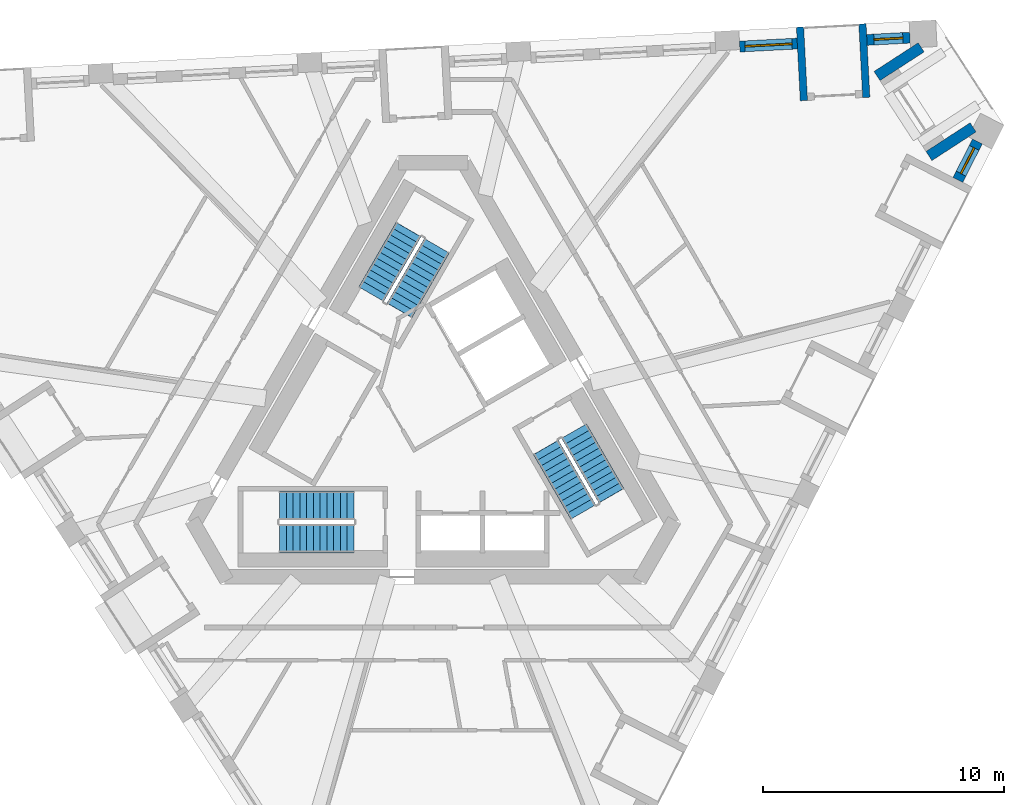
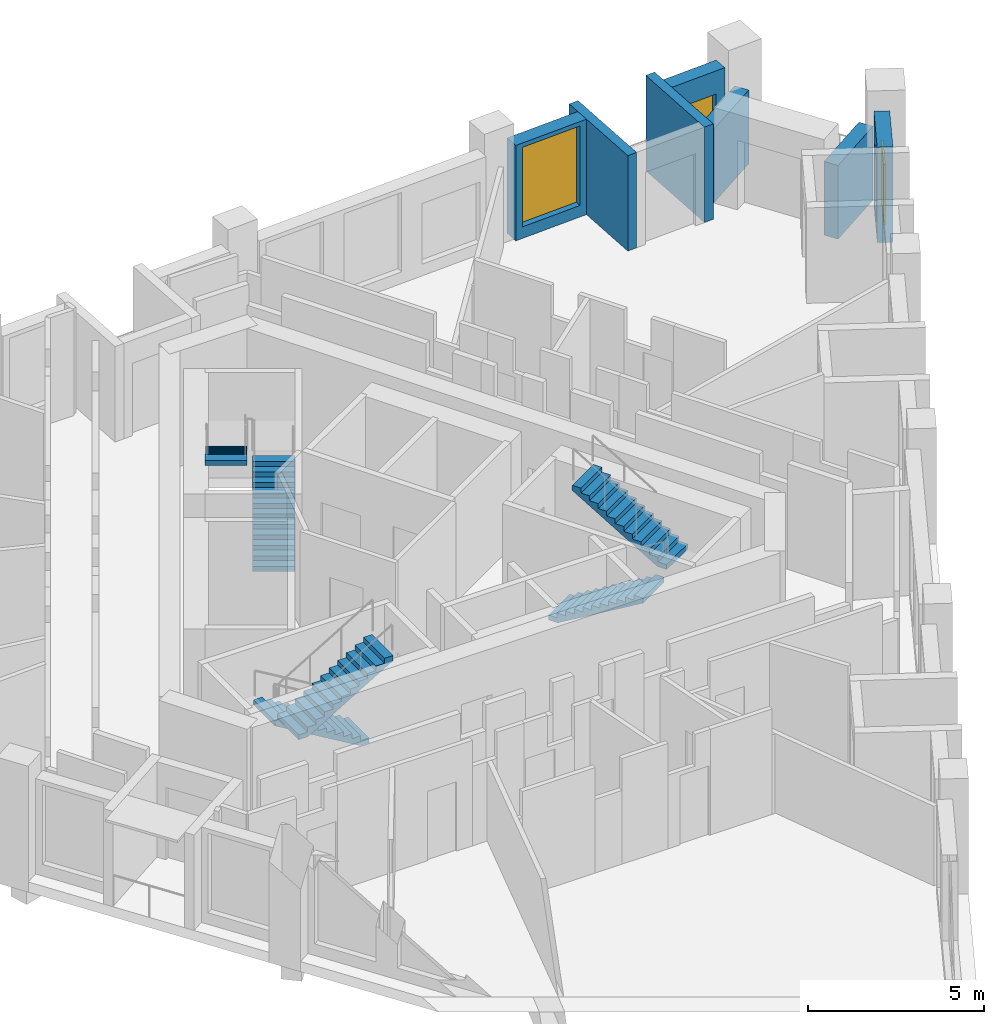
# One storey, part 8 of 12: 7 walls, 6 stair flights, 3 windows, 3 openings, 3 elements without a shape of their own.
"""IFC4 building model written with IfcOpenShell, lengths in metres."""

from ifc_helpers import new_model, si_unit, direction, frame, frame_2d, origin, place, context, subcontext, project, spatial, polyline, rectangle, outline, extrude, material, layer, layer_set, type_object, element, fill, aggregate, save


model = new_model("IFC4")

# Units and contexts
model_context = context("Model", 3, precision=1e-05, world=origin(), true_north=direction((0.0, 1.0)))
body_context = subcontext(model_context, "Body", "Model", "MODEL_VIEW")
ifc_project = project(units=[si_unit("LENGTHUNIT", "METRE"), si_unit("AREAUNIT", "SQUARE_METRE"), si_unit("VOLUMEUNIT", "CUBIC_METRE"), si_unit("PLANEANGLEUNIT", "RADIAN"), si_unit("MASSUNIT", "GRAM", prefix="KILO")], contexts=[model_context])

# Site, building, storey
site_placement = place(None, origin())
site = spatial("IfcSite", under=ifc_project, at=site_placement, CompositionType="ELEMENT")
building_placement = place(site_placement, origin())
building = spatial("IfcBuilding", under=site, at=building_placement, Name="Tramontana Tower", CompositionType="ELEMENT")
storey_placement = place(building_placement, frame((0.0, 0.0, 274.39990234375)))
storey = spatial("IfcBuildingStorey", under=building, at=storey_placement, Name="L64", CompositionType="ELEMENT", Elevation=274.39990234375)

# Wall, opening, window
ifc_material_1 = material(Name="Precast concrete 60 MPa", Category="concrete")
ifc_layer_1 = layer(ifc_material_1, 0.449951171875)
ifc_layer_set_1 = layer_set([ifc_layer_1], Name="Precast concrete 60 MPa, 450 mm")
wall_type_1 = type_object("IfcWallType", Name="EW1 Stone-faced precast wall 450", PredefinedType="SOLIDWALL", material=ifc_layer_set_1)
wall_1_placement = place(storey_placement, frame((21.727783203125, 9.98828125, 0.0), z_axis=(0.0, 0.0, 1.0), x_axis=(0.454032211525, 0.890985269742, 0.0)))
wall_1 = element("IfcWall", 1, at=wall_1_placement, inside=storey, type_object=wall_type_1, Name="External wall L64 face 1 bay 5", PredefinedType="SOLIDWALL", context=body_context, shape_type="SweptSolid", body=[
    extrude(rectangle(XDim=1.786865234375, YDim=0.449951171875, at=frame_2d((0.8935546875, 0.0))), origin(), (0.0, 0.0, 1.0), 3.300048828125),
])
opening_1_placement = place(wall_1_placement, frame((0.29345703125, 0.0, 0.39990234375)))
opening_1 = element("IfcOpeningElement", 2, at=opening_1_placement, cuts=wall_1, Name="Opening N3L", PredefinedType="OPENING", context=body_context, shape_type="SweptSolid", body=[
    extrude(rectangle(XDim=1.199951171875, YDim=2.10009765625, at=frame_2d((0.60009765625, 1.050048828125))), frame((0.0, 0.23486328125, 0.0), z_axis=(0.0, -1.0, 0.0), x_axis=(1.0, 0.0, 0.0)), (0.0, 0.0, 1.0), 0.469970703125),
])
ifc_material_2 = material(Name="Aluminum frame, double glazing unit", Category="aluminium")
window_type_1 = type_object("IfcWindowType", Name="N3L Window 1.2 x 2.1", PartitioningType="SINGLE_PANEL", PredefinedType="WINDOW", material=ifc_material_2)
window_1_placement = place(opening_1_placement, origin())
window_1 = element("IfcWindow", 3, at=window_1_placement, inside=storey, type_object=window_type_1, Name="Window N3L L64 face 1 module 15", OverallHeight=2.10009765625, OverallWidth=1.199951171875, PartitioningType="SINGLE_PANEL", PredefinedType="WINDOW", context=body_context, shape_type="SweptSolid", body=[
    extrude(rectangle(XDim=1.199951171875, YDim=2.10009765625, at=frame_2d((0.60009765625, 1.050048828125))), frame((0.0, 0.030029296875, 0.0), z_axis=(0.0, -1.0, 0.0), x_axis=(1.0, 0.0, 0.0)), (0.0, 0.0, 1.0), 0.06005859375),
])
fill(opening_1, window_1)

wall_2_placement = place(storey_placement, frame((19.74658203125, 15.880126953125, 0.0), z_axis=(0.0, 0.0, 1.0), x_axis=(-0.998629506551, -0.052336494391, 0.0)))
wall_2 = element("IfcWall", 4, at=wall_2_placement, inside=storey, type_object=wall_type_1, Name="External wall L64 face 2 bay 1", PredefinedType="SOLIDWALL", context=body_context, shape_type="SweptSolid", body=[
    extrude(rectangle(XDim=1.78662109375, YDim=0.449951171875, at=frame_2d((0.893310546875, 0.0))), origin(), (0.0, 0.0, 1.0), 3.300048828125),
])
opening_2_placement = place(wall_2_placement, frame((0.29345703125, 0.0, 0.39990234375)))
opening_2 = element("IfcOpeningElement", 5, at=opening_2_placement, cuts=wall_2, Name="Opening N3L", PredefinedType="OPENING", context=body_context, shape_type="SweptSolid", body=[
    extrude(rectangle(XDim=1.199951171875, YDim=2.10009765625, at=frame_2d((0.60009765625, 1.050048828125))), frame((0.0, 0.23486328125, 0.0), z_axis=(0.0, -1.0, 0.0), x_axis=(1.0, 0.0, 0.0)), (0.0, 0.0, 1.0), 0.469970703125),
])
window_2_placement = place(opening_2_placement, origin())
window_2 = element("IfcWindow", 6, at=window_2_placement, inside=storey, type_object=window_type_1, Name="Window N3L L64 face 2 module 1", OverallHeight=2.10009765625, OverallWidth=1.199951171875, PartitioningType="SINGLE_PANEL", PredefinedType="WINDOW", context=body_context, shape_type="SweptSolid", body=[
    extrude(rectangle(XDim=1.199951171875, YDim=2.10009765625, at=frame_2d((0.60009765625, 1.050048828125))), frame((0.0, 0.030029296875, 0.0), z_axis=(0.0, -1.0, 0.0), x_axis=(1.0, 0.0, 0.0)), (0.0, 0.0, 1.0), 0.06005859375),
])
fill(opening_2, window_2)

wall_3_placement = place(storey_placement, frame((15.07958984375, 15.6357421875, 0.0), z_axis=(0.0, 0.0, 1.0), x_axis=(-0.998627701279, -0.052370929331, 0.0)))
wall_3 = element("IfcWall", 7, at=wall_3_placement, inside=storey, type_object=wall_type_1, Name="External wall L64 face 2 bay 1", PredefinedType="SOLIDWALL", context=body_context, shape_type="SweptSolid", body=[
    extrude(rectangle(XDim=2.38671875, YDim=0.449951171875, at=frame_2d((1.193359375, 0.0))), origin(), (0.0, 0.0, 1.0), 3.300048828125),
])
opening_3_placement = place(wall_3_placement, frame((0.21826171875, 0.0, 0.39990234375)))
opening_3 = element("IfcOpeningElement", 8, at=opening_3_placement, cuts=wall_3, Name="Opening M3", PredefinedType="OPENING", context=body_context, shape_type="SweptSolid", body=[
    extrude(rectangle(XDim=1.949951171875, YDim=2.75, at=frame_2d((0.97509765625, 1.375))), frame((0.0, 0.23486328125, 0.0), z_axis=(0.0, -1.0, 0.0), x_axis=(1.0, 0.0, 0.0)), (0.0, 0.0, 1.0), 0.469970703125),
])
ifc_material_3 = material(Name="Aluminum frame, double glazing unit", Category="aluminium")
window_type_2 = type_object("IfcWindowType", Name="M3 Window 1.95 x 2.75", PartitioningType="SINGLE_PANEL", PredefinedType="WINDOW", material=ifc_material_3)
window_3_placement = place(opening_3_placement, origin())
window_3 = element("IfcWindow", 9, at=window_3_placement, inside=storey, type_object=window_type_2, Name="Window M3 L64 face 2 module 3", OverallHeight=2.75, OverallWidth=1.949951171875, PartitioningType="SINGLE_PANEL", PredefinedType="WINDOW", context=body_context, shape_type="SweptSolid", body=[
    extrude(rectangle(XDim=1.949951171875, YDim=2.75, at=frame_2d((0.97509765625, 1.375))), frame((0.0, 0.030029296875, 0.0), z_axis=(0.0, -1.0, 0.0), x_axis=(1.0, 0.0, 0.0)), (0.0, 0.0, 1.0), 0.06005859375),
])
fill(opening_3, window_3)

# Walls
for number, where, z_axis, x_axis, name in (
    (10, (20.209228515625, 15.478759765625, 0.0), (0.0, 0.0, 1.0), (-0.838694375731, -0.544602372486, 0.0), "Corner loggia side wall L64 K72l"),
    (11, (22.3603515625, 12.166015625, 0.0), (0.0, 0.0, 1.0), (-0.838694375731, -0.544602372486, 0.0), "Corner loggia side wall L64 K72r"),
):
    element("IfcWall", number, at=place(storey_placement, frame(where, z_axis=z_axis, x_axis=x_axis)), inside=storey, type_object=wall_type_1, Name=name, PredefinedType="SOLIDWALL", context=body_context, shape_type="SweptSolid", body=[
        extrude(rectangle(XDim=2.17919921875, YDim=0.449951171875, at=frame_2d((1.089599609375, 0.0))), origin(), (0.0, 0.0, 1.0), 2.550048828125),
    ])
ifc_material_4 = material(Name="Precast concrete 60 MPa", Category="concrete")
ifc_layer_2 = layer(ifc_material_4, 0.300048828125)
ifc_layer_set_2 = layer_set([ifc_layer_2], Name="LW1 Stone-faced loggia wall 300")
wall_type_2 = type_object("IfcWallType", Name="LW1 Stone-faced loggia wall 300", PredefinedType="SOLIDWALL", material=ifc_layer_set_2)
wall_4_placement = place(storey_placement, frame((17.777099609375, 16.452880859375, 0.0), z_axis=(0.0, 0.0, 1.0), x_axis=(0.052352956549, -0.998628643661, 0.0)))
element("IfcWall", 12, at=wall_4_placement, inside=storey, type_object=wall_type_2, Name="Loggia return L64 G7S2.1a", PredefinedType="SOLIDWALL", context=body_context, shape_type="SweptSolid", body=[
    extrude(rectangle(XDim=3.0498046875, YDim=0.300048828125, at=frame_2d((1.52490234375, 0.0))), origin(), (0.0, 0.0, 1.0), 3.300048828125),
])
wall_5_placement = place(storey_placement, frame((15.19384765625, 16.317626953125, 0.0), z_axis=(0.0, 0.0, 1.0), x_axis=(0.052348771756, -0.99862886304, 0.0)))
element("IfcWall", 13, at=wall_5_placement, inside=storey, type_object=wall_type_2, Name="Loggia return L64 G7S2.1b", PredefinedType="SOLIDWALL", context=body_context, shape_type="SweptSolid", body=[
    extrude(rectangle(XDim=3.050048828125, YDim=0.300048828125, at=frame_2d((1.52490234375, 0.0))), origin(), (0.0, 0.0, 1.0), 3.300048828125),
])

# Stair, stair flights
ifc_material_5 = material(Name="Concrete 40 MPa", Category="concrete")
stair_type = type_object("IfcStairType", Name="EXIT STAIR 24 RISERS", PredefinedType="HALF_TURN_STAIR", material=ifc_material_5)
stair_1_placement = place(storey_placement, origin())
stair_1 = element("IfcStair", 14, at=stair_1_placement, inside=storey, type_object=stair_type, Name="L64 Exit stair ST1", PredefinedType="HALF_TURN_STAIR")
ifc_material_6 = material(Name="Concrete 40 MPa", Category="concrete")
ifc_layer_3 = layer(ifc_material_6, 0.14990234375)
ifc_layer_set_3 = layer_set([ifc_layer_3], Name="EXIT STAIR FLIGHT")
stair_flight_type = type_object("IfcStairFlightType", Name="EXIT STAIR FLIGHT", PredefinedType="STRAIGHT", material=ifc_layer_set_3)
stair_flight_1_placement = place(storey_placement, frame((-1.39111328125, 4.590576171875, 0.0), z_axis=(0.0, 0.0, 1.0), x_axis=(0.5, 0.866025403784, 0.0)))
stair_flight_1 = element("IfcStairFlight", 15, at=stair_flight_1_placement, type_object=stair_flight_type, Name="ST1 flight 1", NumberOfRisers=12, NumberOfTreads=11, PredefinedType="STRAIGHT", RiserHeight=0.166666667, TreadLength=0.28, context=body_context, shape_type="SweptSolid", body=[
    extrude(outline(polyline([(-0.006103515625, 0.0), (-0.006103515625, 0.0400390625), (0.0, 0.0400390625), (0.0, 0.166748046875), (0.280029296875, 0.166748046875), (0.280029296875, 0.333251953125), (0.56005859375, 0.333251953125), (0.56005859375, 0.5), (0.840087890625, 0.5), (0.840087890625, 0.666748046875), (1.1201171875, 0.666748046875), (1.1201171875, 0.833251953125), (1.39990234375, 0.833251953125), (1.39990234375, 1.0), (1.679931640625, 1.0), (1.679931640625, 1.166748046875), (1.9599609375, 1.166748046875), (1.9599609375, 1.333251953125), (2.239990234375, 1.333251953125), (2.239990234375, 1.5), (2.52001953125, 1.5), (2.52001953125, 1.666748046875), (2.800048828125, 1.666748046875), (2.800048828125, 1.833251953125), (3.080078125, 1.833251953125), (3.0859375, 1.833251953125), (3.0859375, 1.658935546875), (0.299072265625, 0.0), (-0.006103515625, 0.0)])), frame((0.0, 0.60009765625, 0.0), z_axis=(0.0, -1.0, 0.0), x_axis=(1.0, 0.0, 0.0)), (0.0, 0.0, 1.0), 1.199951171875),
])
stair_flight_2_placement = place(storey_placement, frame((-1.020263671875, 7.932861328125, 2.0), z_axis=(0.0, 0.0, 1.0), x_axis=(-0.5, -0.866025403784, 0.0)))
stair_flight_2 = element("IfcStairFlight", 16, at=stair_flight_2_placement, type_object=stair_flight_type, Name="ST1 flight 2", NumberOfRisers=12, NumberOfTreads=11, PredefinedType="STRAIGHT", RiserHeight=0.166666667, TreadLength=0.28, context=body_context, shape_type="SweptSolid", body=[
    extrude(outline(polyline([(-0.006103515625, 0.0), (-0.006103515625, 0.0400390625), (0.0, 0.0400390625), (0.0, 0.166748046875), (0.280029296875, 0.166748046875), (0.280029296875, 0.333251953125), (0.56005859375, 0.333251953125), (0.56005859375, 0.5), (0.840087890625, 0.5), (0.840087890625, 0.666748046875), (1.1201171875, 0.666748046875), (1.1201171875, 0.833251953125), (1.39990234375, 0.833251953125), (1.39990234375, 1.0), (1.679931640625, 1.0), (1.679931640625, 1.166748046875), (1.9599609375, 1.166748046875), (1.9599609375, 1.333251953125), (2.239990234375, 1.333251953125), (2.239990234375, 1.5), (2.52001953125, 1.5), (2.52001953125, 1.666748046875), (2.800048828125, 1.666748046875), (2.800048828125, 1.833251953125), (3.080078125, 1.833251953125), (3.0859375, 1.833251953125), (3.0859375, 1.658935546875), (0.299072265625, 0.0), (-0.006103515625, 0.0)])), frame((0.0, 0.60009765625, 0.0), z_axis=(0.0, -1.0, 0.0), x_axis=(1.0, 0.0, 0.0)), (0.0, 0.0, 1.0), 1.199951171875),
])
aggregate(stair_1, [stair_flight_1, stair_flight_2])

stair_2_placement = place(storey_placement, origin())
stair_2 = element("IfcStair", 17, at=stair_2_placement, inside=storey, type_object=stair_type, Name="L64 Exit stair ST2", PredefinedType="HALF_TURN_STAIR")
stair_flight_3_placement = place(storey_placement, frame((-3.280029296875, -3.5, 0.0), z_axis=(0.0, 0.0, 1.0), x_axis=(-1.0, 0.0, 0.0)))
stair_flight_3 = element("IfcStairFlight", 18, at=stair_flight_3_placement, type_object=stair_flight_type, Name="ST2 flight 1", NumberOfRisers=12, NumberOfTreads=11, PredefinedType="STRAIGHT", RiserHeight=0.166666667, TreadLength=0.28, context=body_context, shape_type="SweptSolid", body=[
    extrude(outline(polyline([(-0.006103515625, 0.0), (-0.006103515625, 0.0400390625), (0.0, 0.0400390625), (0.0, 0.166748046875), (0.280029296875, 0.166748046875), (0.280029296875, 0.333251953125), (0.56005859375, 0.333251953125), (0.56005859375, 0.5), (0.840087890625, 0.5), (0.840087890625, 0.666748046875), (1.1201171875, 0.666748046875), (1.1201171875, 0.833251953125), (1.39990234375, 0.833251953125), (1.39990234375, 1.0), (1.679931640625, 1.0), (1.679931640625, 1.166748046875), (1.9599609375, 1.166748046875), (1.9599609375, 1.333251953125), (2.239990234375, 1.333251953125), (2.239990234375, 1.5), (2.52001953125, 1.5), (2.52001953125, 1.666748046875), (2.800048828125, 1.666748046875), (2.800048828125, 1.833251953125), (3.080078125, 1.833251953125), (3.0859375, 1.833251953125), (3.0859375, 1.658935546875), (0.299072265625, 0.0), (-0.006103515625, 0.0)])), frame((0.0, 0.60009765625, 0.0), z_axis=(0.0, -1.0, 0.0), x_axis=(1.0, 0.0, 0.0)), (0.0, 0.0, 1.0), 1.199951171875),
])
stair_flight_4_placement = place(storey_placement, frame((-6.360107421875, -4.85009765625, 2.0), z_axis=(0.0, 0.0, 1.0), x_axis=(1.0, 0.0, 0.0)))
stair_flight_4 = element("IfcStairFlight", 19, at=stair_flight_4_placement, type_object=stair_flight_type, Name="ST2 flight 2", NumberOfRisers=12, NumberOfTreads=11, PredefinedType="STRAIGHT", RiserHeight=0.166666667, TreadLength=0.28, context=body_context, shape_type="SweptSolid", body=[
    extrude(outline(polyline([(-0.006103515625, 0.0), (-0.006103515625, 0.0400390625), (0.0, 0.0400390625), (0.0, 0.166748046875), (0.280029296875, 0.166748046875), (0.280029296875, 0.333251953125), (0.56005859375, 0.333251953125), (0.56005859375, 0.5), (0.840087890625, 0.5), (0.840087890625, 0.666748046875), (1.1201171875, 0.666748046875), (1.1201171875, 0.833251953125), (1.39990234375, 0.833251953125), (1.39990234375, 1.0), (1.679931640625, 1.0), (1.679931640625, 1.166748046875), (1.9599609375, 1.166748046875), (1.9599609375, 1.333251953125), (2.239990234375, 1.333251953125), (2.239990234375, 1.5), (2.52001953125, 1.5), (2.52001953125, 1.666748046875), (2.800048828125, 1.666748046875), (2.800048828125, 1.833251953125), (3.080078125, 1.833251953125), (3.0859375, 1.833251953125), (3.0859375, 1.658935546875), (0.299072265625, 0.0), (-0.006103515625, 0.0)])), frame((0.0, 0.60009765625, 0.0), z_axis=(0.0, -1.0, 0.0), x_axis=(1.0, 0.0, 0.0)), (0.0, 0.0, 1.0), 1.199951171875),
])
aggregate(stair_2, [stair_flight_3, stair_flight_4])

stair_3_placement = place(storey_placement, origin())
stair_3 = element("IfcStair", 20, at=stair_3_placement, inside=storey, type_object=stair_type, Name="L64 Exit stair ST3", PredefinedType="HALF_TURN_STAIR")
stair_flight_5_placement = place(storey_placement, frame((4.671142578125, -1.090576171875, 0.0), z_axis=(0.0, 0.0, 1.0), x_axis=(0.5, -0.866025403784, 0.0)))
stair_flight_5 = element("IfcStairFlight", 21, at=stair_flight_5_placement, type_object=stair_flight_type, Name="ST3 flight 1", NumberOfRisers=12, NumberOfTreads=11, PredefinedType="STRAIGHT", RiserHeight=0.166666667, TreadLength=0.28, context=body_context, shape_type="SweptSolid", body=[
    extrude(outline(polyline([(-0.006103515625, 0.0), (-0.006103515625, 0.0400390625), (0.0, 0.0400390625), (0.0, 0.166748046875), (0.280029296875, 0.166748046875), (0.280029296875, 0.333251953125), (0.56005859375, 0.333251953125), (0.56005859375, 0.5), (0.840087890625, 0.5), (0.840087890625, 0.666748046875), (1.1201171875, 0.666748046875), (1.1201171875, 0.833251953125), (1.39990234375, 0.833251953125), (1.39990234375, 1.0), (1.679931640625, 1.0), (1.679931640625, 1.166748046875), (1.9599609375, 1.166748046875), (1.9599609375, 1.333251953125), (2.239990234375, 1.333251953125), (2.239990234375, 1.5), (2.52001953125, 1.5), (2.52001953125, 1.666748046875), (2.800048828125, 1.666748046875), (2.800048828125, 1.833251953125), (3.080078125, 1.833251953125), (3.0859375, 1.833251953125), (3.0859375, 1.658935546875), (0.299072265625, 0.0), (-0.006103515625, 0.0)])), frame((0.0, 0.60009765625, 0.0), z_axis=(0.0, -1.0, 0.0), x_axis=(1.0, 0.0, 0.0)), (0.0, 0.0, 1.0), 1.199951171875),
])
stair_flight_6_placement = place(storey_placement, frame((7.380126953125, -3.0830078125, 2.0), z_axis=(0.0, 0.0, 1.0), x_axis=(-0.5, 0.866025403784, 0.0)))
stair_flight_6 = element("IfcStairFlight", 22, at=stair_flight_6_placement, type_object=stair_flight_type, Name="ST3 flight 2", NumberOfRisers=12, NumberOfTreads=11, PredefinedType="STRAIGHT", RiserHeight=0.166666667, TreadLength=0.28, context=body_context, shape_type="SweptSolid", body=[
    extrude(outline(polyline([(-0.006103515625, 0.0), (-0.006103515625, 0.0400390625), (0.0, 0.0400390625), (0.0, 0.166748046875), (0.280029296875, 0.166748046875), (0.280029296875, 0.333251953125), (0.56005859375, 0.333251953125), (0.56005859375, 0.5), (0.840087890625, 0.5), (0.840087890625, 0.666748046875), (1.1201171875, 0.666748046875), (1.1201171875, 0.833251953125), (1.39990234375, 0.833251953125), (1.39990234375, 1.0), (1.679931640625, 1.0), (1.679931640625, 1.166748046875), (1.9599609375, 1.166748046875), (1.9599609375, 1.333251953125), (2.239990234375, 1.333251953125), (2.239990234375, 1.5), (2.52001953125, 1.5), (2.52001953125, 1.666748046875), (2.800048828125, 1.666748046875), (2.800048828125, 1.833251953125), (3.080078125, 1.833251953125), (3.0859375, 1.833251953125), (3.0859375, 1.658935546875), (0.299072265625, 0.0), (-0.006103515625, 0.0)])), frame((0.0, 0.60009765625, 0.0), z_axis=(0.0, -1.0, 0.0), x_axis=(1.0, 0.0, 0.0)), (0.0, 0.0, 1.0), 1.199951171875),
])
aggregate(stair_3, [stair_flight_5, stair_flight_6])

save(model, "model.ifc")
